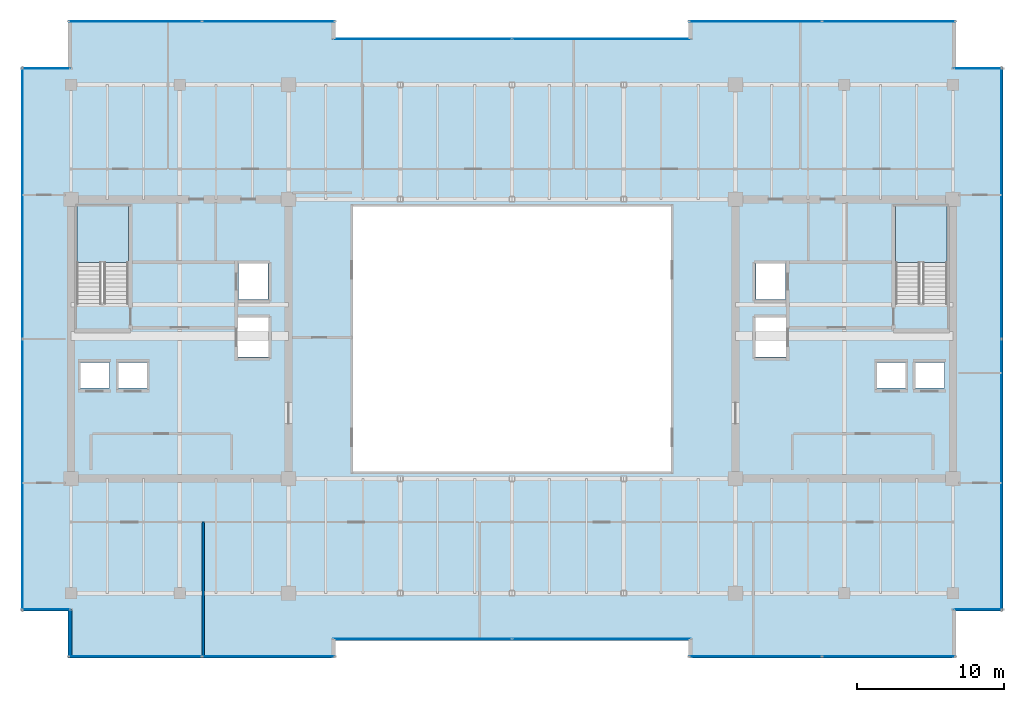
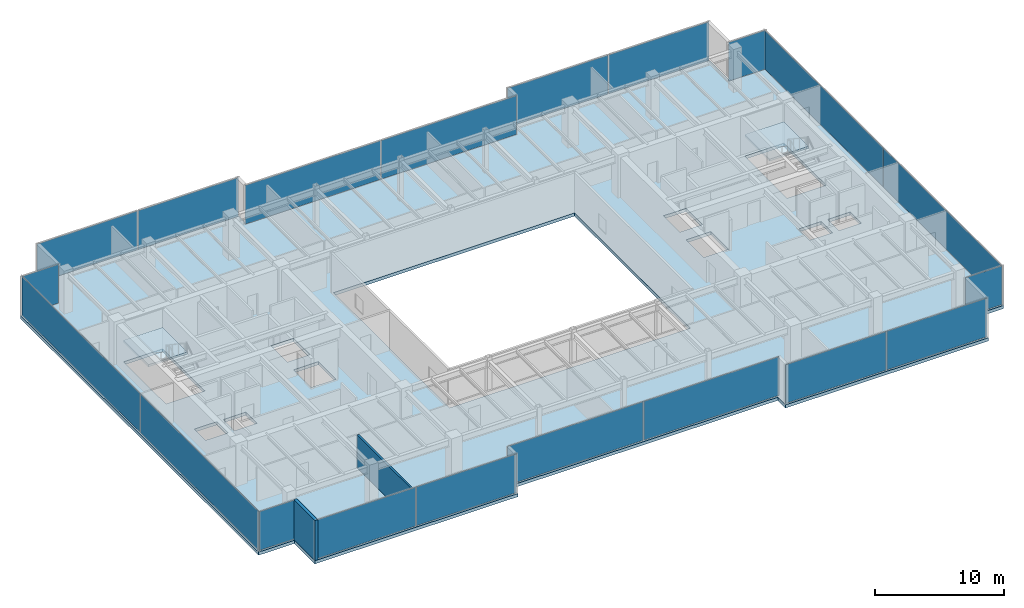
# One storey, part 27 of 33: 20 plates, 3 slabs, 2 walls, 14 elements without a shape of their own.
"""IFC4 building model written with IfcOpenShell, lengths in metres."""

from ifc_helpers import new_model, si_unit, direction, frame, frame_2d, origin, origin_2d, place, context, subcontext, project, spatial, polyline, rectangle, outline, extrude, source, transform, mapped, material, layer, layer_set, type_object, type_shapes, element, aggregate, save


model = new_model("IFC4")

# Units and contexts
model_context = context("Model", 3, precision=1e-05, world=origin(), true_north=direction((0.0, 1.0)))
body_context = subcontext(model_context, "Body", "Model", "MODEL_VIEW")
ifc_project = project(units=[si_unit("LENGTHUNIT", "METRE"), si_unit("AREAUNIT", "SQUARE_METRE"), si_unit("VOLUMEUNIT", "CUBIC_METRE"), si_unit("PLANEANGLEUNIT", "RADIAN"), si_unit("MASSUNIT", "GRAM", prefix="KILO")], contexts=[model_context])

# Site, building, storey
site_placement = place(None, origin())
site = spatial("IfcSite", under=ifc_project, at=site_placement, CompositionType="ELEMENT")
building_placement = place(site_placement, origin())
building = spatial("IfcBuilding", under=site, at=building_placement, Name="Haelvirn Gate Laboratories", CompositionType="ELEMENT")
storey_placement = place(building_placement, frame((0.0, 0.0, 213.699951171875)))
storey = spatial("IfcBuildingStorey", under=building, at=storey_placement, Name="L51", CompositionType="ELEMENT", Elevation=213.699951171875)

# Stair, slab
ifc_material_1 = material(Name="Concrete C40/50", Category="concrete")
stair_type = type_object("IfcStairType", Name="ST-DOG-1650-R22", PredefinedType="HALF_TURN_STAIR", material=ifc_material_1)
stair_1_placement = place(storey_placement, origin())
stair_1 = element("IfcStair", 1, at=stair_1_placement, inside=storey, type_object=stair_type, Name="L51 Escape Stair ST1", PredefinedType="HALF_TURN_STAIR")
ifc_layer_1 = layer(ifc_material_1, 0.199951171875, Name="SL-STAIR-LND")
ifc_layer_set_1 = layer_set([ifc_layer_1], Name="Concrete C40/50")
slab_type_1 = type_object("IfcSlabType", Name="SL-STAIR-LND", PredefinedType="LANDING", material=ifc_layer_set_1)
slab_1_placement = place(storey_placement, frame((0.0, 0.0, 1.85009765625)))
slab_1 = element("IfcSlab", 2, at=slab_1_placement, type_object=slab_type_1, Name="ST1 landing 1", PredefinedType="LANDING", context=body_context, shape_type="SweptSolid", body=[
    extrude(outline(polyline([(11.300048828125, 29.5), (11.300048828125, 33.35009765625), (7.800048828125, 33.35009765625), (7.800048828125, 29.5), (11.300048828125, 29.5)])), origin(), (0.0, 0.0, 1.0), 0.199951171875),
])
aggregate(stair_1, [slab_1])

stair_2_placement = place(storey_placement, origin())
stair_2 = element("IfcStair", 3, at=stair_2_placement, inside=storey, type_object=stair_type, Name="L51 Escape Stair ST2", PredefinedType="HALF_TURN_STAIR")
slab_2_placement = place(storey_placement, frame((0.0, 0.0, 1.85009765625)))
slab_2 = element("IfcSlab", 4, at=slab_2_placement, type_object=slab_type_1, Name="ST2 landing 1", PredefinedType="LANDING", context=body_context, shape_type="SweptSolid", body=[
    extrude(outline(polyline([(67.0, 29.5), (67.0, 33.35009765625), (63.5, 33.35009765625), (63.5, 29.5), (67.0, 29.5)])), origin(), (0.0, 0.0, 1.0), 0.199951171875),
])
aggregate(stair_2, [slab_2])

# Slab
ifc_layer_2 = layer(ifc_material_1, 0.300048828125, Name="SL-Z3-300")
ifc_layer_set_2 = layer_set([ifc_layer_2], Name="Concrete C40/50")
slab_type_2 = type_object("IfcSlabType", Name="SL-Z3-300", PredefinedType="FLOOR", material=ifc_layer_set_2)
slab_3_placement = place(storey_placement, frame((0.0, 0.0, -0.300048828125)))
element("IfcSlab", 5, at=slab_3_placement, inside=storey, type_object=slab_type_2, Name="L51 Structural Slab MAIN", PredefinedType="FLOOR", context=body_context, shape_type="SweptSolid", body=[
    extrude(outline(polyline([(7.199951171875, 2.60009765625), (25.39990234375, 2.60009765625), (25.39990234375, 3.800048828125), (49.39990234375, 3.800048828125), (49.39990234375, 2.60009765625), (67.60009765625, 2.60009765625), (67.60009765625, 5.800048828125), (70.800048828125, 5.800048828125), (70.800048828125, 42.800048828125), (67.60009765625, 42.800048828125), (67.60009765625, 46.0), (49.39990234375, 46.0), (49.39990234375, 44.800048828125), (25.39990234375, 44.800048828125), (25.39990234375, 46.0), (7.199951171875, 46.0), (7.199951171875, 42.800048828125), (4.0, 42.800048828125), (4.0, 5.800048828125), (7.199951171875, 5.800048828125), (7.199951171875, 2.60009765625)]), holes=[polyline([(26.60009765625, 15.300048828125), (48.199951171875, 15.300048828125), (48.199951171875, 33.300048828125), (26.60009765625, 33.300048828125), (26.60009765625, 15.300048828125)]), polyline([(11.300048828125, 26.780029296875), (11.300048828125, 33.35009765625), (7.800048828125, 33.35009765625), (7.800048828125, 26.780029296875), (11.300048828125, 26.780029296875)]), polyline([(67.0, 26.780029296875), (67.0, 33.35009765625), (63.5, 33.35009765625), (63.5, 26.780029296875), (67.0, 26.780029296875)]), polyline([(7.989990234375, 20.969970703125), (10.010009765625, 20.969970703125), (10.010009765625, 22.7099609375), (7.989990234375, 22.7099609375), (7.989990234375, 20.969970703125)]), polyline([(10.590087890625, 20.969970703125), (12.610107421875, 20.969970703125), (12.610107421875, 22.7099609375), (10.590087890625, 22.7099609375), (10.590087890625, 20.969970703125)]), polyline([(18.7900390625, 26.969970703125), (20.81005859375, 26.969970703125), (20.81005859375, 29.510009765625), (18.7900390625, 29.510009765625), (18.7900390625, 26.969970703125)]), polyline([(18.68994140625, 23.070068359375), (20.909912109375, 23.070068359375), (20.909912109375, 25.81005859375), (18.68994140625, 25.81005859375), (18.68994140625, 23.070068359375)]), polyline([(64.7900390625, 20.969970703125), (66.81005859375, 20.969970703125), (66.81005859375, 22.7099609375), (64.7900390625, 22.7099609375), (64.7900390625, 20.969970703125)]), polyline([(62.18994140625, 20.969970703125), (64.2099609375, 20.969970703125), (64.2099609375, 22.7099609375), (62.18994140625, 22.7099609375), (62.18994140625, 20.969970703125)]), polyline([(53.989990234375, 26.969970703125), (56.010009765625, 26.969970703125), (56.010009765625, 29.510009765625), (53.989990234375, 29.510009765625), (53.989990234375, 26.969970703125)]), polyline([(53.889892578125, 23.070068359375), (56.110107421875, 23.070068359375), (56.110107421875, 25.81005859375), (53.889892578125, 25.81005859375), (53.889892578125, 23.070068359375)])]), origin(), (0.0, 0.0, 1.0), 0.300048828125),
])

# Curtain wall, plates
ifc_material_2 = material(Name="Anodised bronze unitised aluminium & triple low-E glass", Category="aluminium")
ifc_layer_3 = layer(ifc_material_2, 0.176025390625, Name="CW-SYS-4")
ifc_layer_set_3 = layer_set([ifc_layer_3], Name="Anodised bronze unitised aluminium & triple low-E glass")
curtain_wall_type_1 = type_object("IfcCurtainWallType", Name="CW-SYS-4", PredefinedType="NOTDEFINED", material=ifc_layer_set_3)
curtain_wall_1_placement = place(storey_placement, origin())
curtain_wall_1 = element("IfcCurtainWall", 6, at=curtain_wall_1_placement, inside=storey, type_object=curtain_wall_type_1, Name="L51 Unitised Curtain Wall CW-L51-P0-E00-1", PredefinedType="NOTDEFINED")
ifc_material_3 = material(Name="Acoustic laminated bronze triple IGU 36 mm", Category="glass")
ifc_layer_4 = layer(ifc_material_3, 0.035888671875, Name="CWP-IGU-36")
ifc_layer_set_4 = layer_set([ifc_layer_4], Name="Acoustic laminated bronze triple IGU 36 mm")
plate_type_1 = type_object("IfcPlateType", Name="CWP-IGU-36", PredefinedType="CURTAIN_PANEL", material=ifc_layer_set_4)
shared_shape_1 = source(origin(), body_context, "Body", "SweptSolid", [
    extrude(rectangle(XDim=8.9951171875, YDim=0.035888671875, at=origin_2d()), origin(), (0.0, 0.0, 1.0), 3.669921875),
])
plate_1_placement = place(storey_placement, frame((11.767578125, 2.699951171875, 0.065185546875), z_axis=(0.0, 0.0, 1.0), x_axis=(1.0, 0.0, 0.0)))
plate_1 = element("IfcPlate", 7, at=plate_1_placement, type_object=plate_type_1, Name="CW4 panel 1.1", PredefinedType="CURTAIN_PANEL", context=body_context, shape_type="MappedRepresentation", body=[
    mapped(shared_shape_1, transform((0.0, 0.0, 0.0), scale=1.0)),
])
plate_2_placement = place(storey_placement, frame((20.83251953125, 2.699951171875, 0.065185546875), z_axis=(0.0, 0.0, 1.0), x_axis=(1.0, 0.0, 0.0)))
plate_2 = element("IfcPlate", 8, at=plate_2_placement, type_object=plate_type_1, Name="CW4 panel 2.1", PredefinedType="CURTAIN_PANEL", context=body_context, shape_type="MappedRepresentation", body=[
    mapped(shared_shape_1, transform((0.0, 0.0, 0.0), scale=1.0)),
])
aggregate(curtain_wall_1, [plate_1, plate_2])

curtain_wall_2_placement = place(storey_placement, origin())
curtain_wall_2 = element("IfcCurtainWall", 9, at=curtain_wall_2_placement, inside=storey, type_object=curtain_wall_type_1, Name="L51 Unitised Curtain Wall CW-L51-P0-E04-1", PredefinedType="NOTDEFINED")
plate_3_placement = place(storey_placement, frame((53.967529296875, 2.699951171875, 0.065185546875), z_axis=(0.0, 0.0, 1.0), x_axis=(1.0, 0.0, 0.0)))
plate_3 = element("IfcPlate", 10, at=plate_3_placement, type_object=plate_type_1, Name="CW4 panel 1.1", PredefinedType="CURTAIN_PANEL", context=body_context, shape_type="MappedRepresentation", body=[
    mapped(shared_shape_1, transform((0.0, 0.0, 0.0), scale=1.0)),
])
plate_4_placement = place(storey_placement, frame((63.032470703125, 2.699951171875, 0.065185546875), z_axis=(0.0, 0.0, 1.0), x_axis=(1.0, 0.0, 0.0)))
plate_4 = element("IfcPlate", 11, at=plate_4_placement, type_object=plate_type_1, Name="CW4 panel 2.1", PredefinedType="CURTAIN_PANEL", context=body_context, shape_type="MappedRepresentation", body=[
    mapped(shared_shape_1, transform((0.0, 0.0, 0.0), scale=1.0)),
])
aggregate(curtain_wall_2, [plate_3, plate_4])

curtain_wall_3_placement = place(storey_placement, origin())
curtain_wall_3 = element("IfcCurtainWall", 12, at=curtain_wall_3_placement, inside=storey, type_object=curtain_wall_type_1, Name="L51 Unitised Curtain Wall CW-L51-P0-E10-1", PredefinedType="NOTDEFINED")
plate_5_placement = place(storey_placement, frame((53.967529296875, 45.89990234375, 0.065185546875), z_axis=(0.0, 0.0, 1.0), x_axis=(1.0, 0.0, 0.0)))
plate_5 = element("IfcPlate", 13, at=plate_5_placement, type_object=plate_type_1, Name="CW4 panel 1.1", PredefinedType="CURTAIN_PANEL", context=body_context, shape_type="MappedRepresentation", body=[
    mapped(shared_shape_1, transform((0.0, 0.0, 0.0), scale=1.0)),
])
plate_6_placement = place(storey_placement, frame((63.032470703125, 45.89990234375, 0.065185546875), z_axis=(0.0, 0.0, 1.0), x_axis=(1.0, 0.0, 0.0)))
plate_6 = element("IfcPlate", 14, at=plate_6_placement, type_object=plate_type_1, Name="CW4 panel 2.1", PredefinedType="CURTAIN_PANEL", context=body_context, shape_type="MappedRepresentation", body=[
    mapped(shared_shape_1, transform((0.0, 0.0, 0.0), scale=1.0)),
])
aggregate(curtain_wall_3, [plate_5, plate_6])

curtain_wall_4_placement = place(storey_placement, origin())
curtain_wall_4 = element("IfcCurtainWall", 15, at=curtain_wall_4_placement, inside=storey, type_object=curtain_wall_type_1, Name="L51 Unitised Curtain Wall CW-L51-P0-E14-1", PredefinedType="NOTDEFINED")
plate_7_placement = place(storey_placement, frame((11.767578125, 45.89990234375, 0.065185546875), z_axis=(0.0, 0.0, 1.0), x_axis=(1.0, 0.0, 0.0)))
plate_7 = element("IfcPlate", 16, at=plate_7_placement, type_object=plate_type_1, Name="CW4 panel 1.1", PredefinedType="CURTAIN_PANEL", context=body_context, shape_type="MappedRepresentation", body=[
    mapped(shared_shape_1, transform((0.0, 0.0, 0.0), scale=1.0)),
])
plate_8_placement = place(storey_placement, frame((20.83251953125, 45.89990234375, 0.065185546875), z_axis=(0.0, 0.0, 1.0), x_axis=(1.0, 0.0, 0.0)))
plate_8 = element("IfcPlate", 17, at=plate_8_placement, type_object=plate_type_1, Name="CW4 panel 2.1", PredefinedType="CURTAIN_PANEL", context=body_context, shape_type="MappedRepresentation", body=[
    mapped(shared_shape_1, transform((0.0, 0.0, 0.0), scale=1.0)),
])
aggregate(curtain_wall_4, [plate_7, plate_8])

curtain_wall_5_placement = place(storey_placement, origin())
curtain_wall_5 = element("IfcCurtainWall", 18, at=curtain_wall_5_placement, inside=storey, type_object=curtain_wall_type_1, Name="L51 Unitised Curtain Wall CW-L51-P0-E02-1", PredefinedType="NOTDEFINED")
shared_shape_2 = source(origin(), body_context, "Body", "SweptSolid", [
    extrude(rectangle(XDim=12.135009765625, YDim=0.035888671875, at=origin_2d()), origin(), (0.0, 0.0, 1.0), 3.669921875),
])
plate_9_placement = place(storey_placement, frame((31.297607421875, 3.89990234375, 0.065185546875), z_axis=(0.0, 0.0, 1.0), x_axis=(1.0, 0.0, 0.0)))
plate_9 = element("IfcPlate", 19, at=plate_9_placement, type_object=plate_type_1, Name="CW4 panel 1.1", PredefinedType="CURTAIN_PANEL", context=body_context, shape_type="MappedRepresentation", body=[
    mapped(shared_shape_2, transform((0.0, 0.0, 0.0), scale=1.0)),
])
plate_10_placement = place(storey_placement, frame((43.50244140625, 3.89990234375, 0.065185546875), z_axis=(0.0, 0.0, 1.0), x_axis=(1.0, 0.0, 0.0)))
plate_10 = element("IfcPlate", 20, at=plate_10_placement, type_object=plate_type_1, Name="CW4 panel 2.1", PredefinedType="CURTAIN_PANEL", context=body_context, shape_type="MappedRepresentation", body=[
    mapped(shared_shape_2, transform((0.0, 0.0, 0.0), scale=1.0)),
])
aggregate(curtain_wall_5, [plate_9, plate_10])

curtain_wall_6_placement = place(storey_placement, origin())
curtain_wall_6 = element("IfcCurtainWall", 21, at=curtain_wall_6_placement, inside=storey, type_object=curtain_wall_type_1, Name="L51 Unitised Curtain Wall CW-L51-P0-E12-1", PredefinedType="NOTDEFINED")
plate_11_placement = place(storey_placement, frame((31.297607421875, 44.699951171875, 0.065185546875), z_axis=(0.0, 0.0, 1.0), x_axis=(1.0, 0.0, 0.0)))
plate_11 = element("IfcPlate", 22, at=plate_11_placement, type_object=plate_type_1, Name="CW4 panel 1.1", PredefinedType="CURTAIN_PANEL", context=body_context, shape_type="MappedRepresentation", body=[
    mapped(shared_shape_2, transform((0.0, 0.0, 0.0), scale=1.0)),
])
plate_12_placement = place(storey_placement, frame((43.50244140625, 44.699951171875, 0.065185546875), z_axis=(0.0, 0.0, 1.0), x_axis=(1.0, 0.0, 0.0)))
plate_12 = element("IfcPlate", 23, at=plate_12_placement, type_object=plate_type_1, Name="CW4 panel 2.1", PredefinedType="CURTAIN_PANEL", context=body_context, shape_type="MappedRepresentation", body=[
    mapped(shared_shape_2, transform((0.0, 0.0, 0.0), scale=1.0)),
])
aggregate(curtain_wall_6, [plate_11, plate_12])

# Curtain wall, plate
ifc_layer_5 = layer(ifc_material_2, 0.181884765625, Name="CW-SYS-5")
ifc_layer_set_5 = layer_set([ifc_layer_5], Name="Anodised bronze unitised aluminium & triple low-E glass")
curtain_wall_type_2 = type_object("IfcCurtainWallType", Name="CW-SYS-5", PredefinedType="NOTDEFINED", material=ifc_layer_set_5)
curtain_wall_7_placement = place(storey_placement, origin())
curtain_wall_7 = element("IfcCurtainWall", 24, at=curtain_wall_7_placement, inside=storey, type_object=curtain_wall_type_2, Name="L51 Unitised Curtain Wall CW-L51-P0-E06-1", PredefinedType="NOTDEFINED")
ifc_material_4 = material(Name="Clear low-iron notched-corner triple IGU 42 mm", Category="glass")
ifc_layer_6 = layer(ifc_material_4, 0.0419921875, Name="CWP-NTC-42")
ifc_layer_set_6 = layer_set([ifc_layer_6], Name="Clear low-iron notched-corner triple IGU 42 mm")
plate_type_2 = type_object("IfcPlateType", Name="CWP-NTC-42", PredefinedType="CURTAIN_PANEL", material=ifc_layer_set_6)
shared_shape_3 = source(origin(), body_context, "Body", "SweptSolid", [
    extrude(rectangle(XDim=3.280029296875, YDim=0.0419921875, at=origin_2d()), origin(), (0.0, 0.0, 1.0), 3.669921875),
])
type_shapes(plate_type_2, [shared_shape_3])
plate_13_placement = place(storey_placement, frame((69.080078125, 5.89990234375, 0.065185546875), z_axis=(0.0, 0.0, 1.0), x_axis=(1.0, 0.0, 0.0)))
plate_13 = element("IfcPlate", 25, at=plate_13_placement, type_object=plate_type_2, Name="CW5 panel 1.1", PredefinedType="CURTAIN_PANEL", context=body_context, shape_type="MappedRepresentation", body=[
    mapped(shared_shape_3, transform((0.0, 0.0, 0.0), scale=1.0)),
])
aggregate(curtain_wall_7, [plate_13])

curtain_wall_8_placement = place(storey_placement, origin())
curtain_wall_8 = element("IfcCurtainWall", 26, at=curtain_wall_8_placement, inside=storey, type_object=curtain_wall_type_2, Name="L51 Unitised Curtain Wall CW-L51-P0-E08-1", PredefinedType="NOTDEFINED")
plate_14_placement = place(storey_placement, frame((69.080078125, 42.699951171875, 0.065185546875), z_axis=(0.0, 0.0, 1.0), x_axis=(1.0, 0.0, 0.0)))
plate_14 = element("IfcPlate", 27, at=plate_14_placement, type_object=plate_type_2, Name="CW5 panel 1.1", PredefinedType="CURTAIN_PANEL", context=body_context, shape_type="MappedRepresentation", body=[
    mapped(shared_shape_3, transform((0.0, 0.0, 0.0), scale=1.0)),
])
aggregate(curtain_wall_8, [plate_14])

curtain_wall_9_placement = place(storey_placement, origin())
curtain_wall_9 = element("IfcCurtainWall", 28, at=curtain_wall_9_placement, inside=storey, type_object=curtain_wall_type_2, Name="L51 Unitised Curtain Wall CW-L51-P0-E16-1", PredefinedType="NOTDEFINED")
plate_15_placement = place(storey_placement, frame((5.719970703125, 42.699951171875, 0.065185546875), z_axis=(0.0, 0.0, 1.0), x_axis=(1.0, 0.0, 0.0)))
plate_15 = element("IfcPlate", 29, at=plate_15_placement, type_object=plate_type_2, Name="CW5 panel 1.1", PredefinedType="CURTAIN_PANEL", context=body_context, shape_type="MappedRepresentation", body=[
    mapped(shared_shape_3, transform((0.0, 0.0, 0.0), scale=1.0)),
])
aggregate(curtain_wall_9, [plate_15])

curtain_wall_10_placement = place(storey_placement, origin())
curtain_wall_10 = element("IfcCurtainWall", 30, at=curtain_wall_10_placement, inside=storey, type_object=curtain_wall_type_2, Name="L51 Unitised Curtain Wall CW-L51-P0-E18-1", PredefinedType="NOTDEFINED")
plate_16_placement = place(storey_placement, frame((5.719970703125, 5.89990234375, 0.065185546875), z_axis=(0.0, 0.0, 1.0), x_axis=(1.0, 0.0, 0.0)))
plate_16 = element("IfcPlate", 31, at=plate_16_placement, type_object=plate_type_2, Name="CW5 panel 1.1", PredefinedType="CURTAIN_PANEL", context=body_context, shape_type="MappedRepresentation", body=[
    mapped(shared_shape_3, transform((0.0, 0.0, 0.0), scale=1.0)),
])
aggregate(curtain_wall_10, [plate_16])

# Curtain wall, plates
curtain_wall_11_placement = place(storey_placement, origin())
curtain_wall_11 = element("IfcCurtainWall", 32, at=curtain_wall_11_placement, inside=storey, type_object=curtain_wall_type_1, Name="L51 Unitised Curtain Wall CW-L51-P0-E07", PredefinedType="NOTDEFINED")
shared_shape_4 = source(origin(), body_context, "Body", "SweptSolid", [
    extrude(rectangle(XDim=18.39501953125, YDim=0.035888671875, at=origin_2d()), origin(), (0.0, 0.0, 1.0), 3.669921875),
])
type_shapes(plate_type_1, [shared_shape_1, shared_shape_2, shared_shape_4])
plate_17_placement = place(storey_placement, frame((70.699951171875, 15.0673828125, 0.065185546875), z_axis=(0.0, 0.0, 1.0), x_axis=(0.0, 1.0, 0.0)))
plate_17 = element("IfcPlate", 33, at=plate_17_placement, type_object=plate_type_1, Name="CW4 panel 1.1", PredefinedType="CURTAIN_PANEL", context=body_context, shape_type="MappedRepresentation", body=[
    mapped(shared_shape_4, transform((0.0, 0.0, 0.0), scale=1.0)),
])
plate_18_placement = place(storey_placement, frame((70.699951171875, 33.532470703125, 0.065185546875), z_axis=(0.0, 0.0, 1.0), x_axis=(0.0, 1.0, 0.0)))
plate_18 = element("IfcPlate", 34, at=plate_18_placement, type_object=plate_type_1, Name="CW4 panel 2.1", PredefinedType="CURTAIN_PANEL", context=body_context, shape_type="MappedRepresentation", body=[
    mapped(shared_shape_4, transform((0.0, 0.0, 0.0), scale=1.0)),
])
aggregate(curtain_wall_11, [plate_17, plate_18])

curtain_wall_12_placement = place(storey_placement, origin())
curtain_wall_12 = element("IfcCurtainWall", 35, at=curtain_wall_12_placement, inside=storey, type_object=curtain_wall_type_1, Name="L51 Unitised Curtain Wall CW-L51-P0-E17", PredefinedType="NOTDEFINED")
plate_19_placement = place(storey_placement, frame((4.10009765625, 33.532470703125, 0.065185546875), z_axis=(0.0, 0.0, 1.0), x_axis=(0.0, -1.0, 0.0)))
plate_19 = element("IfcPlate", 36, at=plate_19_placement, type_object=plate_type_1, Name="CW4 panel 1.1", PredefinedType="CURTAIN_PANEL", context=body_context, shape_type="MappedRepresentation", body=[
    mapped(shared_shape_4, transform((0.0, 0.0, 0.0), scale=1.0)),
])
plate_20_placement = place(storey_placement, frame((4.10009765625, 15.0673828125, 0.065185546875), z_axis=(0.0, 0.0, 1.0), x_axis=(0.0, -1.0, 0.0)))
plate_20 = element("IfcPlate", 37, at=plate_20_placement, type_object=plate_type_1, Name="CW4 panel 2.1", PredefinedType="CURTAIN_PANEL", context=body_context, shape_type="MappedRepresentation", body=[
    mapped(shared_shape_4, transform((0.0, 0.0, 0.0), scale=1.0)),
])
aggregate(curtain_wall_12, [plate_19, plate_20])

# Walls
ifc_material_5 = material(Name="Thermally-broken bronze aluminium rainscreen & mineral wool", Category="aluminium")
ifc_layer_7 = layer(ifc_material_5, 0.280029296875, Name="EW-TERR-280")
ifc_layer_set_7 = layer_set([ifc_layer_7], Name="Thermally-broken bronze aluminium rainscreen & mineral wool")
wall_type_1 = type_object("IfcWallType", Name="EW-TERR-280", PredefinedType="STANDARD", material=ifc_layer_set_7)
wall_1_placement = place(storey_placement, frame((7.340087890625, 5.887939453125, 0.0), z_axis=(0.0, 0.0, 1.0), x_axis=(0.0, -1.0, 0.0)))
element("IfcWall", 38, at=wall_1_placement, inside=storey, type_object=wall_type_1, Name="L51 Atrium Recess Bronze Return Wall 19", PredefinedType="STANDARD", context=body_context, shape_type="SweptSolid", body=[
    extrude(rectangle(XDim=3.287841796875, YDim=0.280029296875, at=frame_2d((1.64404296875, 0.0))), origin(), (0.0, 0.0, 1.0), 3.800048828125),
])
ifc_material_6 = material(Name="Double-layer acoustic gypsum laboratory partition", Category="gypsum")
ifc_layer_8 = layer(ifc_material_6, 0.159912109375, Name="IW-ACOUST-160")
ifc_layer_set_8 = layer_set([ifc_layer_8], Name="Double-layer acoustic gypsum laboratory partition")
wall_type_2 = type_object("IfcWallType", Name="IW-ACOUST-160", PredefinedType="PARTITIONING", material=ifc_layer_set_8)
wall_2_placement = place(storey_placement, frame((16.39990234375, 2.7099609375, 0.0), z_axis=(0.0, 0.0, 1.0), x_axis=(0.0, 1.0, 0.0)))
element("IfcWall", 39, at=wall_2_placement, inside=storey, type_object=wall_type_2, Name="L51 Interior Wall IW-L51-SDIV-01", PredefinedType="PARTITIONING", context=body_context, shape_type="SweptSolid", body=[
    extrude(rectangle(XDim=9.130126953125, YDim=0.159912109375, at=frame_2d((4.56494140625, 0.0))), origin(), (0.0, 0.0, 1.0), 3.135009765625),
])

save(model, "model.ifc")
